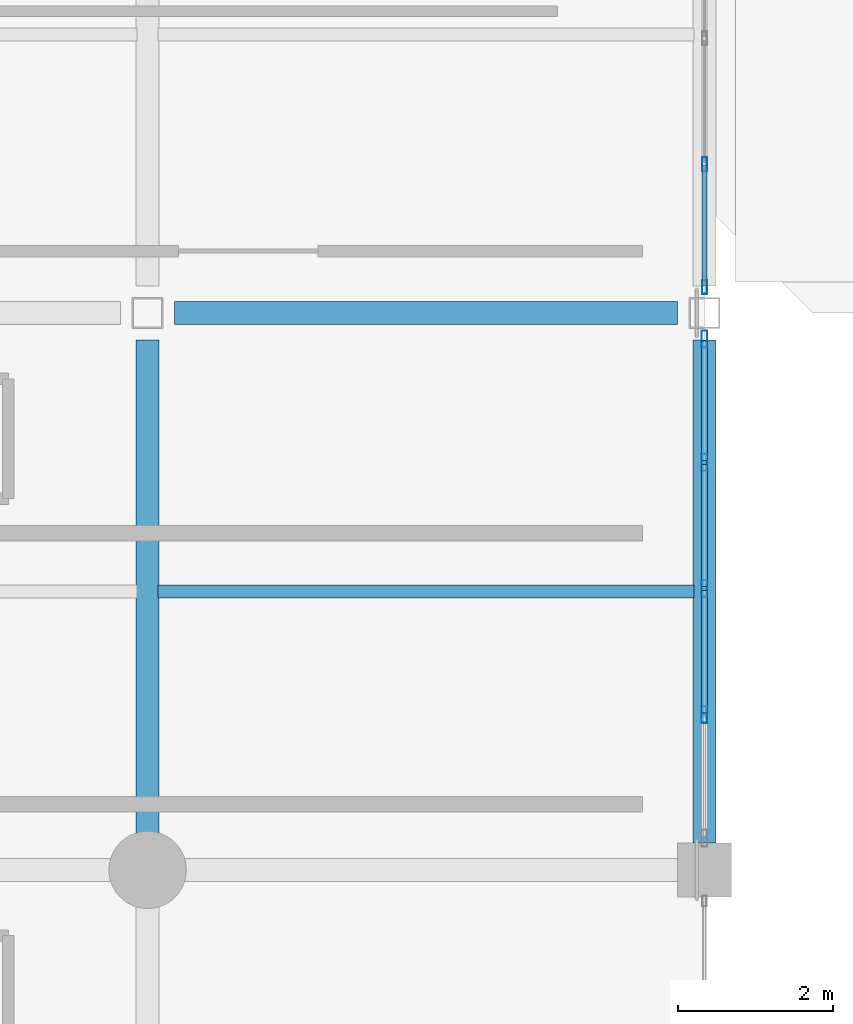
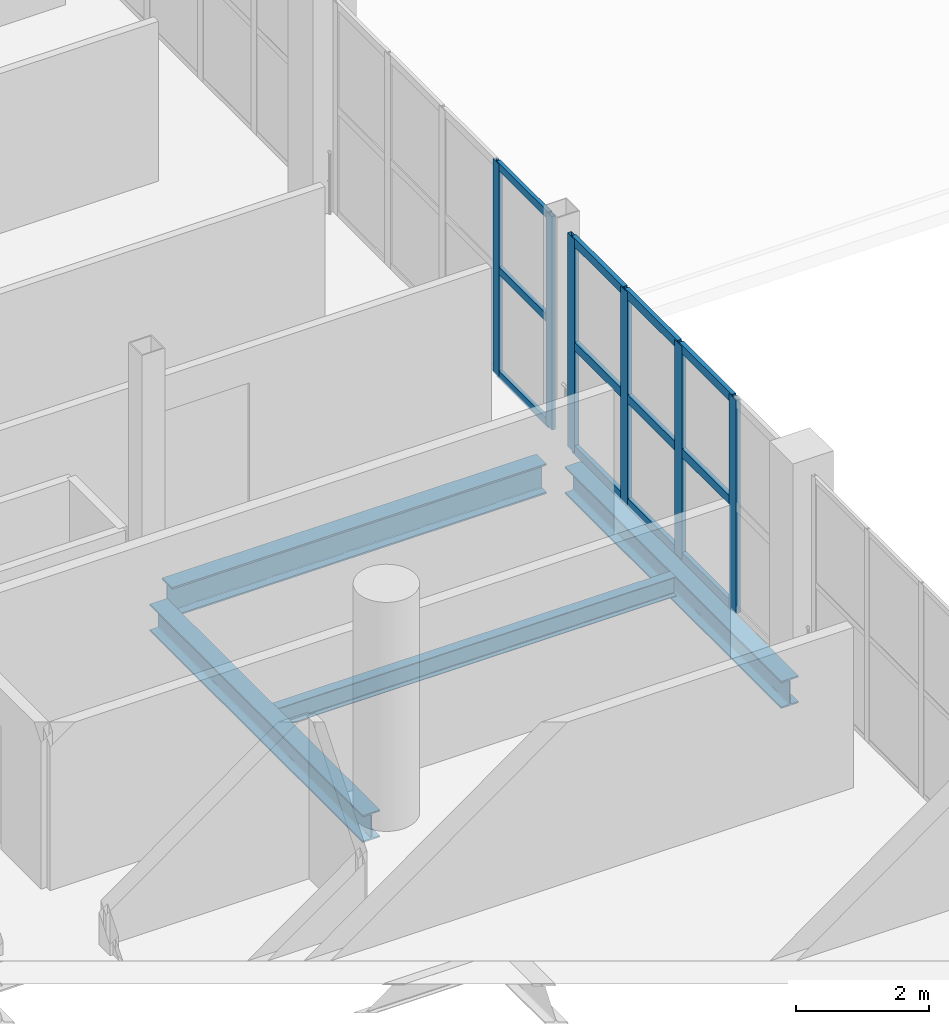
# One storey, part 65 of 130: 18 members, 4 beams, 2 elements without a shape of their own.
"""IFC4 building model written with IfcOpenShell, lengths in metres."""

from ifc_helpers import new_model, si_unit, direction, frame, origin, origin_2d, place, context, subcontext, project, spatial, hollow_rectangle, i_section, extrude, material, material_profile, profile_set, type_object, element, aggregate, save


model = new_model("IFC4")

# Units and contexts
model_context = context("Model", 3, precision=1e-05, world=origin(), true_north=direction((0.0, 1.0)))
body_context = subcontext(model_context, "Body", "Model", "MODEL_VIEW")
ifc_project = project(units=[si_unit("LENGTHUNIT", "METRE"), si_unit("AREAUNIT", "SQUARE_METRE"), si_unit("VOLUMEUNIT", "CUBIC_METRE"), si_unit("PLANEANGLEUNIT", "RADIAN"), si_unit("MASSUNIT", "GRAM", prefix="KILO")], contexts=[model_context])

# Site, building, storey
site_placement = place(None, origin())
site = spatial("IfcSite", under=ifc_project, at=site_placement, CompositionType="ELEMENT")
building_placement = place(site_placement, origin())
building = spatial("IfcBuilding", under=site, at=building_placement, Name="Qandorah Velis Arena", CompositionType="ELEMENT")
storey_placement = place(building_placement, frame((0.0, 0.0, 9.60009765625)))
storey = spatial("IfcBuildingStorey", under=building, at=storey_placement, Name="L02", CompositionType="ELEMENT", Elevation=9.60009765625)

# Curtain wall, members
ifc_material_1 = material(Name="Solar-control low-E double glazing", Category="glass")
curtain_wall_type_1 = type_object("IfcCurtainWallType", Name="ARC-CW-SYS06", PredefinedType="USERDEFINED", material=ifc_material_1)
curtain_wall_1_placement = place(storey_placement, origin())
curtain_wall_1 = element("IfcCurtainWall", 1, at=curtain_wall_1_placement, inside=storey, type_object=curtain_wall_type_1, Name="Unitised curtain wall L02-174", ObjectType="UNITISED CURTAIN WALL", PredefinedType="USERDEFINED")
ifc_material_2 = material(Name="Champagne-bronze anodized aluminium 6063-T6", Category="aluminium")
ifc_material_profile_1 = material_profile(ifc_material_2, hollow_rectangle(XDim=0.06494140625, YDim=0.179931640625, WallThickness=0.00341796875, at=origin_2d()), Name="ALU MULLION 65x180")
ifc_profile_set_1 = profile_set([ifc_material_profile_1], Name="Champagne-bronze anodized aluminium 6063-T6")
member_type_1 = type_object("IfcMemberType", Name="ARC-CWM-180", PredefinedType="MULLION", material=ifc_profile_set_1)
member_1_placement = place(storey_placement, frame((122.39990234375, 93.9326171875, -0.01513671875), z_axis=(0.0, 0.0, 1.0), x_axis=(-1.0, 0.0, 0.0)))
member_1 = element("IfcMember", 2, at=member_1_placement, type_object=member_type_1, Name="CW06 mullion 1", PredefinedType="MULLION", context=body_context, shape_type="SweptSolid", body=[
    extrude(hollow_rectangle(XDim=0.06494140625, YDim=0.179931640625, WallThickness=0.00341796875, at=origin_2d()), origin(), (0.0, 0.0, 1.0), 3.91015625),
])
member_2_placement = place(storey_placement, frame((122.39990234375, 95.52490234375, -0.01513671875), z_axis=(0.0, 0.0, 1.0), x_axis=(-1.0, 0.0, 0.0)))
member_2 = element("IfcMember", 3, at=member_2_placement, type_object=member_type_1, Name="CW06 mullion 2", PredefinedType="MULLION", context=body_context, shape_type="SweptSolid", body=[
    extrude(hollow_rectangle(XDim=0.06494140625, YDim=0.179931640625, WallThickness=0.00341796875, at=origin_2d()), origin(), (0.0, 0.0, 1.0), 3.91015625),
])

curtain_wall_type_2 = type_object("IfcCurtainWallType", Name="ARC-CW-SYS05", PredefinedType="USERDEFINED", material=ifc_material_1)
curtain_wall_2_placement = place(storey_placement, origin())
curtain_wall_2 = element("IfcCurtainWall", 4, at=curtain_wall_2_placement, inside=storey, type_object=curtain_wall_type_2, Name="Unitised curtain wall L02-173", ObjectType="UNITISED CURTAIN WALL", PredefinedType="USERDEFINED")
ifc_material_profile_2 = material_profile(ifc_material_2, hollow_rectangle(XDim=0.074951171875, YDim=0.219970703125, WallThickness=0.00390625, at=origin_2d()), Name="ALU MULLION 75x220")
ifc_profile_set_2 = profile_set([ifc_material_profile_2], Name="Champagne-bronze anodized aluminium 6063-T6")
member_type_2 = type_object("IfcMemberType", Name="ARC-CWM-220", PredefinedType="MULLION", material=ifc_profile_set_2)
member_3_placement = place(storey_placement, frame((122.39990234375, 88.40625, -0.01513671875), z_axis=(0.0, 0.0, 1.0), x_axis=(-1.0, 0.0, 0.0)))
member_3 = element("IfcMember", 5, at=member_3_placement, type_object=member_type_2, Name="CW05 mullion 2", PredefinedType="MULLION", context=body_context, shape_type="SweptSolid", body=[
    extrude(hollow_rectangle(XDim=0.074951171875, YDim=0.219970703125, WallThickness=0.00390625, at=origin_2d()), origin(), (0.0, 0.0, 1.0), 3.91015625),
])
member_4_placement = place(storey_placement, frame((122.39990234375, 90.03759765625, -0.01513671875), z_axis=(0.0, 0.0, 1.0), x_axis=(-1.0, 0.0, 0.0)))
member_4 = element("IfcMember", 6, at=member_4_placement, type_object=member_type_2, Name="CW05 mullion 3", PredefinedType="MULLION", context=body_context, shape_type="SweptSolid", body=[
    extrude(hollow_rectangle(XDim=0.074951171875, YDim=0.219970703125, WallThickness=0.00390625, at=origin_2d()), origin(), (0.0, 0.0, 1.0), 3.91015625),
])
member_5_placement = place(storey_placement, frame((122.39990234375, 91.668701171875, -0.01513671875), z_axis=(0.0, 0.0, 1.0), x_axis=(-1.0, 0.0, 0.0)))
member_5 = element("IfcMember", 7, at=member_5_placement, type_object=member_type_2, Name="CW05 mullion 4", PredefinedType="MULLION", context=body_context, shape_type="SweptSolid", body=[
    extrude(hollow_rectangle(XDim=0.074951171875, YDim=0.219970703125, WallThickness=0.00390625, at=origin_2d()), origin(), (0.0, 0.0, 1.0), 3.91015625),
])
member_6_placement = place(storey_placement, frame((122.39990234375, 93.262451171875, -0.01513671875), z_axis=(0.0, 0.0, 1.0), x_axis=(-1.0, 0.0, 0.0)))
member_6 = element("IfcMember", 8, at=member_6_placement, type_object=member_type_2, Name="CW05 mullion 5", PredefinedType="MULLION", context=body_context, shape_type="SweptSolid", body=[
    extrude(hollow_rectangle(XDim=0.074951171875, YDim=0.219970703125, WallThickness=0.00390625, at=origin_2d()), origin(), (0.0, 0.0, 1.0), 3.91015625),
])

# Member
ifc_material_profile_3 = material_profile(ifc_material_2, hollow_rectangle(XDim=0.06494140625, YDim=0.139892578125, WallThickness=0.0029296875, at=origin_2d()), Name="ALU TRANSOM 65x140")
ifc_profile_set_3 = profile_set([ifc_material_profile_3], Name="Champagne-bronze anodized aluminium 6063-T6")
member_type_3 = type_object("IfcMemberType", Name="ARC-CWT-140", PredefinedType="USERDEFINED", material=ifc_profile_set_3)
member_7_placement = place(storey_placement, frame((122.39990234375, 93.952880859375, 0.032470703125), z_axis=(0.0, 1.0, 0.0), x_axis=(-1.0, 0.0, 0.0)))
member_7 = element("IfcMember", 9, at=member_7_placement, type_object=member_type_3, Name="CW06 transom 1.1", ObjectType="TRANSOM", PredefinedType="USERDEFINED", context=body_context, shape_type="SweptSolid", body=[
    extrude(hollow_rectangle(XDim=0.06494140625, YDim=0.139892578125, WallThickness=0.0029296875, at=origin_2d()), origin(), (0.0, 0.0, 1.0), 1.551513671875),
])

member_8_placement = place(storey_placement, frame((122.39990234375, 93.952880859375, 1.93994140625), z_axis=(0.0, 1.0, 0.0), x_axis=(-1.0, 0.0, 0.0)))
member_8 = element("IfcMember", 10, at=member_8_placement, type_object=member_type_3, Name="CW06 transom 1.2", ObjectType="TRANSOM", PredefinedType="USERDEFINED", context=body_context, shape_type="SweptSolid", body=[
    extrude(hollow_rectangle(XDim=0.06494140625, YDim=0.139892578125, WallThickness=0.0029296875, at=origin_2d()), origin(), (0.0, 0.0, 1.0), 1.551513671875),
])

member_9_placement = place(storey_placement, frame((122.39990234375, 93.952880859375, 3.847412109375), z_axis=(0.0, 1.0, 0.0), x_axis=(-1.0, 0.0, 0.0)))
member_9 = element("IfcMember", 11, at=member_9_placement, type_object=member_type_3, Name="CW06 transom 1.3", ObjectType="TRANSOM", PredefinedType="USERDEFINED", context=body_context, shape_type="SweptSolid", body=[
    extrude(hollow_rectangle(XDim=0.06494140625, YDim=0.139892578125, WallThickness=0.0029296875, at=origin_2d()), origin(), (0.0, 0.0, 1.0), 1.551513671875),
])

aggregate(curtain_wall_1, [member_1, member_2, member_7, member_8, member_9])

ifc_material_profile_4 = material_profile(ifc_material_2, hollow_rectangle(XDim=0.074951171875, YDim=0.159912109375, WallThickness=0.00341796875, at=origin_2d()), Name="ALU TRANSOM 75x160")
ifc_profile_set_4 = profile_set([ifc_material_profile_4], Name="Champagne-bronze anodized aluminium 6063-T6")
member_type_4 = type_object("IfcMemberType", Name="ARC-CWT-160", PredefinedType="USERDEFINED", material=ifc_profile_set_4)
member_10_placement = place(storey_placement, frame((122.39990234375, 88.431884765625, 0.037353515625), z_axis=(0.0, 1.0, 0.0), x_axis=(-1.0, 0.0, 0.0)))
member_10 = element("IfcMember", 12, at=member_10_placement, type_object=member_type_4, Name="CW05 transom 2.1", ObjectType="TRANSOM", PredefinedType="USERDEFINED", context=body_context, shape_type="SweptSolid", body=[
    extrude(hollow_rectangle(XDim=0.074951171875, YDim=0.159912109375, WallThickness=0.00341796875, at=origin_2d()), origin(), (0.0, 0.0, 1.0), 1.580078125),
])

member_11_placement = place(storey_placement, frame((122.39990234375, 88.431884765625, 1.93994140625), z_axis=(0.0, 1.0, 0.0), x_axis=(-1.0, 0.0, 0.0)))
member_11 = element("IfcMember", 13, at=member_11_placement, type_object=member_type_4, Name="CW05 transom 2.2", ObjectType="TRANSOM", PredefinedType="USERDEFINED", context=body_context, shape_type="SweptSolid", body=[
    extrude(hollow_rectangle(XDim=0.074951171875, YDim=0.159912109375, WallThickness=0.00341796875, at=origin_2d()), origin(), (0.0, 0.0, 1.0), 1.580078125),
])

member_12_placement = place(storey_placement, frame((122.39990234375, 88.431884765625, 3.84228515625), z_axis=(0.0, 1.0, 0.0), x_axis=(-1.0, 0.0, 0.0)))
member_12 = element("IfcMember", 14, at=member_12_placement, type_object=member_type_4, Name="CW05 transom 2.3", ObjectType="TRANSOM", PredefinedType="USERDEFINED", context=body_context, shape_type="SweptSolid", body=[
    extrude(hollow_rectangle(XDim=0.074951171875, YDim=0.159912109375, WallThickness=0.00341796875, at=origin_2d()), origin(), (0.0, 0.0, 1.0), 1.580078125),
])

member_13_placement = place(storey_placement, frame((122.39990234375, 90.06298828125, 0.037353515625), z_axis=(0.0, 1.0, 0.0), x_axis=(-1.0, 0.0, 0.0)))
member_13 = element("IfcMember", 15, at=member_13_placement, type_object=member_type_4, Name="CW05 transom 3.1", ObjectType="TRANSOM", PredefinedType="USERDEFINED", context=body_context, shape_type="SweptSolid", body=[
    extrude(hollow_rectangle(XDim=0.074951171875, YDim=0.159912109375, WallThickness=0.00341796875, at=origin_2d()), origin(), (0.0, 0.0, 1.0), 1.580322265625),
])

member_14_placement = place(storey_placement, frame((122.39990234375, 90.06298828125, 1.93994140625), z_axis=(0.0, 1.0, 0.0), x_axis=(-1.0, 0.0, 0.0)))
member_14 = element("IfcMember", 16, at=member_14_placement, type_object=member_type_4, Name="CW05 transom 3.2", ObjectType="TRANSOM", PredefinedType="USERDEFINED", context=body_context, shape_type="SweptSolid", body=[
    extrude(hollow_rectangle(XDim=0.074951171875, YDim=0.159912109375, WallThickness=0.00341796875, at=origin_2d()), origin(), (0.0, 0.0, 1.0), 1.580322265625),
])

member_15_placement = place(storey_placement, frame((122.39990234375, 90.06298828125, 3.84228515625), z_axis=(0.0, 1.0, 0.0), x_axis=(-1.0, 0.0, 0.0)))
member_15 = element("IfcMember", 17, at=member_15_placement, type_object=member_type_4, Name="CW05 transom 3.3", ObjectType="TRANSOM", PredefinedType="USERDEFINED", context=body_context, shape_type="SweptSolid", body=[
    extrude(hollow_rectangle(XDim=0.074951171875, YDim=0.159912109375, WallThickness=0.00341796875, at=origin_2d()), origin(), (0.0, 0.0, 1.0), 1.580322265625),
])

member_16_placement = place(storey_placement, frame((122.39990234375, 91.694091796875, 0.037353515625), z_axis=(0.0, 1.0, 0.0), x_axis=(-1.0, 0.0, 0.0)))
member_16 = element("IfcMember", 18, at=member_16_placement, type_object=member_type_4, Name="CW05 transom 4.1", ObjectType="TRANSOM", PredefinedType="USERDEFINED", context=body_context, shape_type="SweptSolid", body=[
    extrude(hollow_rectangle(XDim=0.074951171875, YDim=0.159912109375, WallThickness=0.00341796875, at=origin_2d()), origin(), (0.0, 0.0, 1.0), 1.54296875),
])

member_17_placement = place(storey_placement, frame((122.39990234375, 91.694091796875, 1.93994140625), z_axis=(0.0, 1.0, 0.0), x_axis=(-1.0, 0.0, 0.0)))
member_17 = element("IfcMember", 19, at=member_17_placement, type_object=member_type_4, Name="CW05 transom 4.2", ObjectType="TRANSOM", PredefinedType="USERDEFINED", context=body_context, shape_type="SweptSolid", body=[
    extrude(hollow_rectangle(XDim=0.074951171875, YDim=0.159912109375, WallThickness=0.00341796875, at=origin_2d()), origin(), (0.0, 0.0, 1.0), 1.54296875),
])

member_18_placement = place(storey_placement, frame((122.39990234375, 91.694091796875, 3.84228515625), z_axis=(0.0, 1.0, 0.0), x_axis=(-1.0, 0.0, 0.0)))
member_18 = element("IfcMember", 20, at=member_18_placement, type_object=member_type_4, Name="CW05 transom 4.3", ObjectType="TRANSOM", PredefinedType="USERDEFINED", context=body_context, shape_type="SweptSolid", body=[
    extrude(hollow_rectangle(XDim=0.074951171875, YDim=0.159912109375, WallThickness=0.00341796875, at=origin_2d()), origin(), (0.0, 0.0, 1.0), 1.54296875),
])

aggregate(curtain_wall_2, [member_3, member_4, member_5, member_6, member_10, member_11, member_12, member_13, member_14, member_15, member_16, member_17, member_18])

# Beams
ifc_material_3 = material(Name="Steel S355", Category="steel")
ifc_material_profile_5 = material_profile(ifc_material_3, i_section(OverallWidth=0.300048828125, OverallDepth=0.5, WebThickness=0.014404296875, FlangeThickness=0.028076171875, FilletRadius=0.027099609375, at=origin_2d()), Name="HEB 500")
ifc_profile_set_5 = profile_set([ifc_material_profile_5], Name="Steel S355")
beam_type_1 = type_object("IfcBeamType", Name="STR-BM-HEB500", PredefinedType="BEAM", material=ifc_profile_set_5)
beam_1_placement = place(storey_placement, frame((115.199951171875, 86.85009765625, -0.530029296875), z_axis=(0.0, 1.0, 0.0), x_axis=(-1.0, 0.0, 0.0)))
element("IfcBeam", 21, at=beam_1_placement, inside=storey, type_object=beam_type_1, Name="Primary floor girder L02 Y-316", PredefinedType="BEAM", context=body_context, shape_type="SweptSolid", body=[
    extrude(i_section(OverallWidth=0.300048828125, OverallDepth=0.5, WebThickness=0.014404296875, FlangeThickness=0.028076171875, FilletRadius=0.027099609375, at=origin_2d()), origin(), (0.0, 0.0, 1.0), 6.39990234375),
])
beam_2_placement = place(storey_placement, frame((122.39990234375, 86.75, -0.530029296875), z_axis=(0.0, 1.0, 0.0), x_axis=(-1.0, 0.0, 0.0)))
element("IfcBeam", 22, at=beam_2_placement, inside=storey, type_object=beam_type_1, Name="Primary floor girder L02 Y-326", PredefinedType="BEAM", context=body_context, shape_type="SweptSolid", body=[
    extrude(i_section(OverallWidth=0.300048828125, OverallDepth=0.5, WebThickness=0.014404296875, FlangeThickness=0.028076171875, FilletRadius=0.027099609375, at=origin_2d()), origin(), (0.0, 0.0, 1.0), 6.5),
])
ifc_material_profile_6 = material_profile(ifc_material_3, i_section(OverallWidth=0.300048828125, OverallDepth=0.550048828125, WebThickness=0.014892578125, FlangeThickness=0.029052734375, FilletRadius=0.027099609375, at=origin_2d()), Name="HEB 550")
ifc_profile_set_6 = profile_set([ifc_material_profile_6], Name="Steel S355")
beam_type_2 = type_object("IfcBeamType", Name="STR-BM-HEB550", PredefinedType="BEAM", material=ifc_profile_set_6)
beam_3_placement = place(storey_placement, frame((115.550048828125, 93.60009765625, -0.55517578125), z_axis=(1.0, 0.0, 0.0), x_axis=(0.0, 1.0, 0.0)))
element("IfcBeam", 23, at=beam_3_placement, inside=storey, type_object=beam_type_2, Name="Primary floor girder L02 X-121", PredefinedType="BEAM", context=body_context, shape_type="SweptSolid", body=[
    extrude(i_section(OverallWidth=0.300048828125, OverallDepth=0.550048828125, WebThickness=0.014892578125, FlangeThickness=0.029052734375, FilletRadius=0.027099609375, at=origin_2d()), origin(), (0.0, 0.0, 1.0), 6.5),
])
ifc_material_profile_7 = material_profile(ifc_material_3, i_section(OverallWidth=0.169921875, OverallDepth=0.360107421875, WebThickness=0.008056640625, FlangeThickness=0.0126953125, FilletRadius=0.01806640625, at=origin_2d()), Name="IPE 360")
ifc_profile_set_7 = profile_set([ifc_material_profile_7], Name="Steel S355")
beam_type_3 = type_object("IfcBeamType", Name="STR-JST-IPE360", PredefinedType="JOIST", material=ifc_profile_set_7)
beam_4_placement = place(storey_placement, frame((115.3349609375, 90.0, -0.460205078125), z_axis=(1.0, 0.0, 0.0), x_axis=(0.0, 1.0, 0.0)))
element("IfcBeam", 24, at=beam_4_placement, inside=storey, type_object=beam_type_3, Name="Secondary floor joist L02-091", PredefinedType="JOIST", context=body_context, shape_type="SweptSolid", body=[
    extrude(i_section(OverallWidth=0.169921875, OverallDepth=0.360107421875, WebThickness=0.008056640625, FlangeThickness=0.0126953125, FilletRadius=0.01806640625, at=origin_2d()), origin(), (0.0, 0.0, 1.0), 6.929931640625),
])

save(model, "model.ifc")
